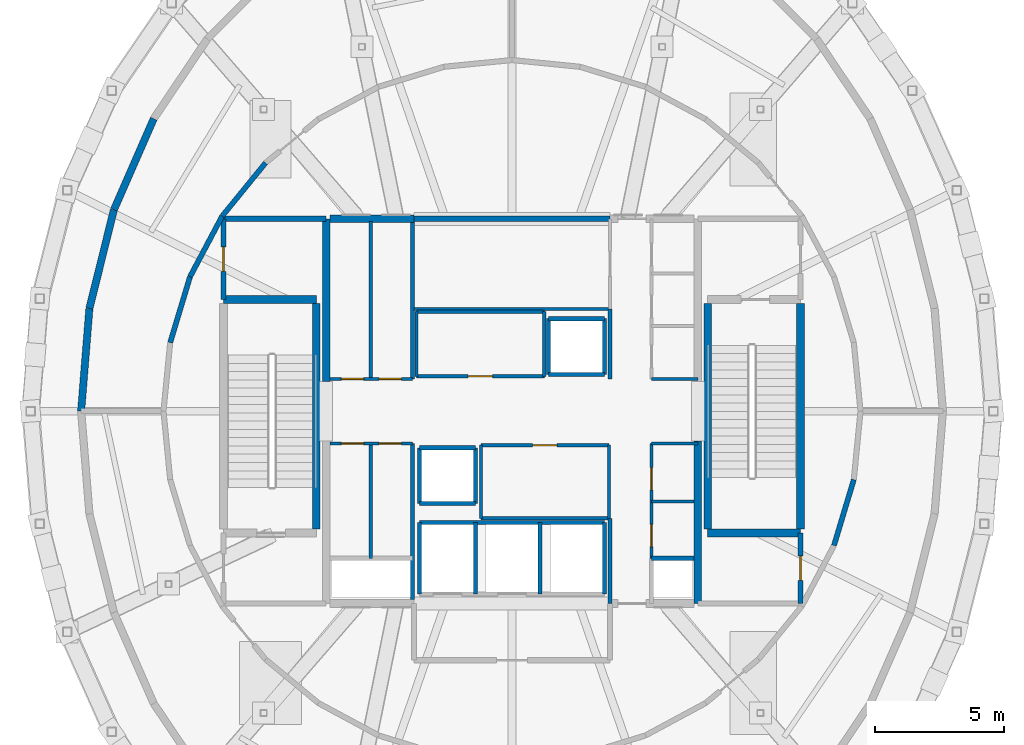
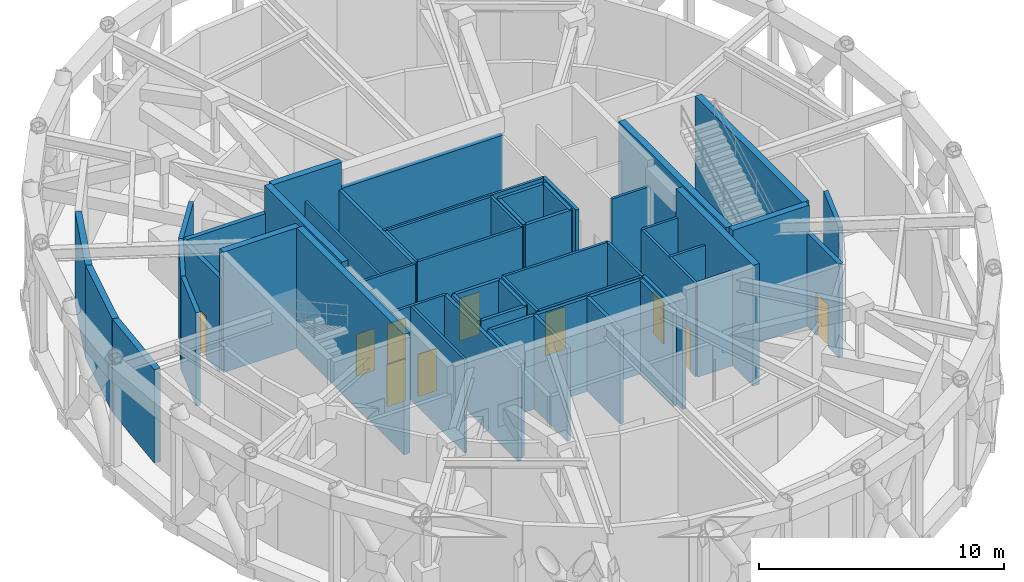
# One storey, part 7 of 11: 54 walls, 10 doors, 10 openings.
"""IFC4 building model written with IfcOpenShell, lengths in metres."""

from ifc_helpers import new_model, si_unit, direction, frame, frame_2d, origin, place, context, subcontext, project, spatial, rectangle, extrude, material, layer, layer_set, type_object, element, fill, save


model = new_model("IFC4")

# Units and contexts
model_context = context("Model", 3, precision=1e-05, world=origin(), true_north=direction((0.0, 1.0)))
body_context = subcontext(model_context, "Body", "Model", "MODEL_VIEW")
ifc_project = project(units=[si_unit("LENGTHUNIT", "METRE"), si_unit("AREAUNIT", "SQUARE_METRE"), si_unit("VOLUMEUNIT", "CUBIC_METRE"), si_unit("PLANEANGLEUNIT", "RADIAN"), si_unit("MASSUNIT", "GRAM", prefix="KILO")], contexts=[model_context])

# Site, building, storey
site_placement = place(None, origin())
site = spatial("IfcSite", under=ifc_project, at=site_placement, CompositionType="ELEMENT")
building_placement = place(site_placement, origin())
building = spatial("IfcBuilding", under=site, at=building_placement, Name="Veldorina Hangang Commons", CompositionType="ELEMENT")
storey_placement = place(building_placement, frame((0.0, 0.0, 302.39990234375)))
storey = spatial("IfcBuildingStorey", under=building, at=storey_placement, Name="L79", CompositionType="ELEMENT", Elevation=302.39990234375)

# Walls
ifc_material_1 = material(Name="Concrete C50/60", Category="concrete")
ifc_layer_1 = layer(ifc_material_1, 0.300048828125)
ifc_layer_set_1 = layer_set([ifc_layer_1], Name="Concrete C50/60")
wall_type_1 = type_object("IfcWallType", Name="CW-RC300-C50", PredefinedType="SHEAR", material=ifc_layer_set_1)
for number, where, z_axis, x_axis, name in (
    (1, (24.800048828125, 25.14990234375, 0.0), (0.0, 0.0, 1.0), (0.0, 1.0, 0.0), "L79 W north core shear wall"),
    (2, (39.199951171875, 16.550048828125, 0.0), (0.0, 0.0, 1.0), (0.0, 1.0, 0.0), "L79 E south core shear wall"),
):
    element("IfcWall", number, at=place(storey_placement, frame(where, z_axis=z_axis, x_axis=x_axis)), inside=storey, type_object=wall_type_1, Name=name, PredefinedType="SHEAR", context=body_context, shape_type="SweptSolid", body=[
        extrude(rectangle(XDim=6.300048828125, YDim=0.300048828125, at=frame_2d((3.14990234375, 0.0))), origin(), (0.0, 0.0, 1.0), 6.0),
    ])
wall_1_placement = place(storey_placement, frame((24.949951171875, 31.449951171875, 0.0), z_axis=(0.0, 0.0, 1.0), x_axis=(1.0, 0.0, 0.0)))
element("IfcWall", 3, at=wall_1_placement, inside=storey, type_object=wall_type_1, Name="L79 north-west core shear wall", PredefinedType="SHEAR", context=body_context, shape_type="SweptSolid", body=[
    extrude(rectangle(XDim=3.25, YDim=0.300048828125, at=frame_2d((1.625, 0.0))), origin(), (0.0, 0.0, 1.0), 6.0),
])
ifc_material_2 = material(Name="Stone Roman Travertine", Category="masonry")
ifc_layer_2 = layer(ifc_material_2, 0.280029296875)
ifc_layer_set_2 = layer_set([ifc_layer_2], Name="Stone Roman Travertine")
wall_type_2 = type_object("IfcWallType", Name="EW-TRAV-280", PredefinedType="STANDARD", material=ifc_layer_set_2)
wall_2_placement = place(storey_placement, frame((18.122802734375, 35.328125, 0.0), z_axis=(0.0, 0.0, 1.0), x_axis=(-0.400815505477, -0.916158791132, 0.0)))
element("IfcWall", 4, at=wall_2_placement, inside=storey, type_object=wall_type_2, Name="L79 top plant exterior stone wall 13", PredefinedType="STANDARD", context=body_context, shape_type="SweptSolid", body=[
    extrude(rectangle(XDim=3.84765625, YDim=0.280029296875, at=frame_2d((1.923828125, 0.0))), origin(), (0.0, 0.0, 1.0), 4.650146484375),
])
wall_3_placement = place(storey_placement, frame((16.58056640625, 31.802978515625, 0.0), z_axis=(0.0, 0.0, 1.0), x_axis=(-0.241019551513, -0.97052026037, 0.0)))
element("IfcWall", 5, at=wall_3_placement, inside=storey, type_object=wall_type_2, Name="L79 top plant exterior stone wall 14", PredefinedType="STANDARD", context=body_context, shape_type="SweptSolid", body=[
    extrude(rectangle(XDim=3.94140625, YDim=0.280029296875, at=frame_2d((1.970703125, 0.0))), origin(), (0.0, 0.0, 1.0), 4.650146484375),
])
wall_4_placement = place(storey_placement, frame((15.630615234375, 27.977783203125, 0.0), z_axis=(0.0, 0.0, 1.0), x_axis=(-0.080326348455, -0.996768617957, 0.0)))
element("IfcWall", 6, at=wall_4_placement, inside=storey, type_object=wall_type_2, Name="L79 top plant exterior stone wall 15", PredefinedType="STANDARD", context=body_context, shape_type="SweptSolid", body=[
    extrude(rectangle(XDim=3.99072265625, YDim=0.280029296875, at=frame_2d((1.995361328125, 0.0))), origin(), (0.0, 0.0, 1.0), 4.650146484375),
])
ifc_layer_3 = layer(ifc_material_1, 0.300048828125)
ifc_layer_set_3 = layer_set([ifc_layer_3], Name="Concrete C50/60")
wall_type_3 = type_object("IfcWallType", Name="SW-STAIR-300", PredefinedType="SHEAR", material=ifc_layer_set_3)
wall_5_placement = place(storey_placement, frame((24.419921875, 19.429931640625, 0.0), z_axis=(0.0, 0.0, 1.0), x_axis=(0.0, 1.0, 0.0)))
element("IfcWall", 7, at=wall_5_placement, inside=storey, type_object=wall_type_3, Name="L79 ST1 inner stair shear wall", PredefinedType="SHEAR", context=body_context, shape_type="SweptSolid", body=[
    extrude(rectangle(XDim=8.739990234375, YDim=0.300048828125, at=frame_2d((4.3701171875, 0.0))), origin(), (0.0, 0.0, 1.0), 6.0),
])
wall_6_placement = place(storey_placement, frame((20.820068359375, 28.320068359375, 0.0), z_axis=(0.0, 0.0, 1.0), x_axis=(1.0, 0.0, 0.0)))
element("IfcWall", 8, at=wall_6_placement, inside=storey, type_object=wall_type_3, Name="L79 ST1 north stair shear wall", PredefinedType="SHEAR", context=body_context, shape_type="SweptSolid", body=[
    extrude(rectangle(XDim=3.599853515625, YDim=0.300048828125, at=frame_2d((1.7998046875, 0.0))), origin(), (0.0, 0.0, 1.0), 6.0),
])
for number, where, z_axis, x_axis, name in (
    (9, (43.179931640625, 19.429931640625, 0.0), (0.0, 0.0, 1.0), (0.0, 1.0, 0.0), "L79 ST2 outer stair shear wall"),
    (10, (39.580078125, 19.429931640625, 0.0), (0.0, 0.0, 1.0), (0.0, 1.0, 0.0), "L79 ST2 inner stair shear wall"),
):
    element("IfcWall", number, at=place(storey_placement, frame(where, z_axis=z_axis, x_axis=x_axis)), inside=storey, type_object=wall_type_3, Name=name, PredefinedType="SHEAR", context=body_context, shape_type="SweptSolid", body=[
        extrude(rectangle(XDim=8.739990234375, YDim=0.300048828125, at=frame_2d((4.3701171875, 0.0))), origin(), (0.0, 0.0, 1.0), 6.0),
    ])
wall_7_placement = place(storey_placement, frame((39.580078125, 19.280029296875, 0.0), z_axis=(0.0, 0.0, 1.0), x_axis=(1.0, 0.0, 0.0)))
element("IfcWall", 11, at=wall_7_placement, inside=storey, type_object=wall_type_3, Name="L79 ST2 south stair shear wall", PredefinedType="SHEAR", context=body_context, shape_type="SweptSolid", body=[
    extrude(rectangle(XDim=3.599853515625, YDim=0.300048828125, at=frame_2d((1.7998046875, 0.0))), origin(), (0.0, 0.0, 1.0), 6.0),
])
ifc_material_3 = material(Name="Gypsum Fire-Rated Twin Stud Wall", Category="gypsum")
ifc_layer_4 = layer(ifc_material_3, 0.159912109375)
ifc_layer_set_4 = layer_set([ifc_layer_4], Name="Gypsum Fire-Rated Twin Stud Wall")
wall_type_4 = type_object("IfcWallType", Name="WL-FIRE-160", PredefinedType="SOLIDWALL", material=ifc_layer_set_4)
wall_8_placement = place(storey_placement, frame((35.800048828125, 16.550048828125, 0.0), z_axis=(0.0, 0.0, 1.0), x_axis=(0.0, 1.0, 0.0)))
element("IfcWall", 12, at=wall_8_placement, inside=storey, type_object=wall_type_4, Name="L79 Lift passage SW wall 009", PredefinedType="SOLIDWALL", context=body_context, shape_type="SweptSolid", body=[
    extrude(rectangle(XDim=3.300048828125, YDim=0.159912109375, at=frame_2d((1.64990234375, 0.0))), origin(), (0.0, 0.0, 1.0), 4.650146484375),
])
wall_9_placement = place(storey_placement, frame((35.800048828125, 25.25, 0.0), z_axis=(0.0, 0.0, 1.0), x_axis=(0.0, 1.0, 0.0)))
element("IfcWall", 13, at=wall_9_placement, inside=storey, type_object=wall_type_4, Name="L79 Lift passage NW lower wall 011", PredefinedType="SOLIDWALL", context=body_context, shape_type="SweptSolid", body=[
    extrude(rectangle(XDim=2.699951171875, YDim=0.159912109375, at=frame_2d((1.35009765625, 0.0))), origin(), (0.0, 0.0, 1.0), 4.650146484375),
])
for number, where, z_axis, x_axis, name in (
    (14, (33.419921875, 25.419921875, 0.0), (0.0, 0.0, 1.0), (1.0, 0.0, 0.0), "L79 Mid-high front shaft wall 015"),
    (15, (33.419921875, 27.580078125, 0.0), (0.0, 0.0, 1.0), (1.0, 0.0, 0.0), "L79 Mid-high rear shaft wall 016"),
    (16, (33.419921875, 25.419921875, 0.0), (0.0, 0.0, 1.0), (0.0, 1.0, 0.0), "L79 PL-H1 west shaft wall 017"),
    (17, (35.580078125, 25.419921875, 0.0), (0.0, 0.0, 1.0), (0.0, 1.0, 0.0), "L79 PL-H1 east shaft wall 018"),
    (18, (28.419921875, 22.580078125, 0.0), (0.0, 0.0, 1.0), (1.0, 0.0, 0.0), "L79 Shuttle-high front shaft wall 019"),
    (19, (28.419921875, 20.419921875, 0.0), (0.0, 0.0, 1.0), (1.0, 0.0, 0.0), "L79 Shuttle-high rear shaft wall 020"),
    (20, (28.419921875, 20.419921875, 0.0), (0.0, 0.0, 1.0), (0.0, 1.0, 0.0), "L79 PL-H2 west shaft wall 021"),
    (21, (30.580078125, 20.419921875, 0.0), (0.0, 0.0, 1.0), (0.0, 1.0, 0.0), "L79 PL-H2 east shaft wall 022"),
):
    element("IfcWall", number, at=place(storey_placement, frame(where, z_axis=z_axis, x_axis=x_axis)), inside=storey, type_object=wall_type_4, Name=name, PredefinedType="SOLIDWALL", context=body_context, shape_type="SweptSolid", body=[
        extrude(rectangle(XDim=2.16015625, YDim=0.159912109375, at=frame_2d((1.080078125, 0.0))), origin(), (0.0, 0.0, 1.0), 4.650146484375),
    ])
wall_10_placement = place(storey_placement, frame((28.419921875, 19.679931640625, 0.0), z_axis=(0.0, 0.0, 1.0), x_axis=(1.0, 0.0, 0.0)))
element("IfcWall", 22, at=wall_10_placement, inside=storey, type_object=wall_type_4, Name="L79 Emergency rear shaft wall 024", PredefinedType="SOLIDWALL", context=body_context, shape_type="SweptSolid", body=[
    extrude(rectangle(XDim=7.16015625, YDim=0.159912109375, at=frame_2d((3.580078125, 0.0))), origin(), (0.0, 0.0, 1.0), 4.650146484375),
])
for number, where, z_axis, x_axis, name in (
    (23, (28.419921875, 16.919921875, 0.0), (0.0, 0.0, 1.0), (0.0, 1.0, 0.0), "L79 FFL-1 west shaft wall 025"),
    (24, (30.580078125, 16.919921875, 0.0), (0.0, 0.0, 1.0), (0.0, 1.0, 0.0), "L79 FFL-1 east shaft wall 026"),
    (25, (33.080078125, 16.919921875, 0.0), (0.0, 0.0, 1.0), (0.0, 1.0, 0.0), "L79 FFL-2 east shaft wall 027"),
    (26, (35.580078125, 16.919921875, 0.0), (0.0, 0.0, 1.0), (0.0, 1.0, 0.0), "L79 EVL-1 east shaft wall 028"),
):
    element("IfcWall", number, at=place(storey_placement, frame(where, z_axis=z_axis, x_axis=x_axis)), inside=storey, type_object=wall_type_4, Name=name, PredefinedType="SOLIDWALL", context=body_context, shape_type="SweptSolid", body=[
        extrude(rectangle(XDim=2.760009765625, YDim=0.159912109375, at=frame_2d((1.3798828125, 0.0))), origin(), (0.0, 0.0, 1.0), 4.650146484375),
    ])
wall_11_placement = place(storey_placement, frame((28.14990234375, 16.699951171875, 0.0), z_axis=(0.0, 0.0, 1.0), x_axis=(0.0, 1.0, 0.0)))
element("IfcWall", 27, at=wall_11_placement, inside=storey, type_object=wall_type_4, Name="L79 SW core inner wall 041", PredefinedType="SOLIDWALL", context=body_context, shape_type="SweptSolid", body=[
    extrude(rectangle(XDim=6.050048828125, YDim=0.159912109375, at=frame_2d((3.02490234375, 0.0))), origin(), (0.0, 0.0, 1.0), 4.650146484375),
])
wall_12_placement = place(storey_placement, frame((37.39990234375, 18.300048828125, 0.0), z_axis=(0.0, 0.0, 1.0), x_axis=(1.0, 0.0, 0.0)))
element("IfcWall", 28, at=wall_12_placement, inside=storey, type_object=wall_type_4, Name="L79 Plumbing riser wall 042", PredefinedType="SOLIDWALL", context=body_context, shape_type="SweptSolid", body=[
    extrude(rectangle(XDim=1.650146484375, YDim=0.159912109375, at=frame_2d((0.8251953125, 0.0))), origin(), (0.0, 0.0, 1.0), 4.650146484375),
])
wall_13_placement = place(storey_placement, frame((28.14990234375, 25.25, 0.0), z_axis=(0.0, 0.0, 1.0), x_axis=(0.0, 1.0, 0.0)))
element("IfcWall", 29, at=wall_13_placement, inside=storey, type_object=wall_type_4, Name="L79 NW core inner wall 043", PredefinedType="SOLIDWALL", context=body_context, shape_type="SweptSolid", body=[
    extrude(rectangle(XDim=6.10009765625, YDim=0.159912109375, at=frame_2d((3.050048828125, 0.0))), origin(), (0.0, 0.0, 1.0), 4.650146484375),
])

# Wall, opening, door
ifc_material_4 = material(Name="Concrete Blockwork Fire Wall C30/37", Category="masonry")
ifc_layer_5 = layer(ifc_material_4, 0.199951171875)
ifc_layer_set_5 = layer_set([ifc_layer_5], Name="Concrete Blockwork Fire Wall C30/37")
wall_type_5 = type_object("IfcWallType", Name="WL-FIRE-200", PredefinedType="SOLIDWALL", material=ifc_layer_set_5)
wall_14_placement = place(storey_placement, frame((20.820068359375, 28.320068359375, 0.0), z_axis=(0.0, 0.0, 1.0), x_axis=(0.0, 1.0, 0.0)))
wall_14 = element("IfcWall", 30, at=wall_14_placement, inside=storey, type_object=wall_type_5, Name="L79 NW core room outer wall 005", PredefinedType="SOLIDWALL", context=body_context, shape_type="SweptSolid", body=[
    extrude(rectangle(XDim=3.1298828125, YDim=0.199951171875, at=frame_2d((1.56494140625, 0.0))), origin(), (0.0, 0.0, 1.0), 4.650146484375),
])
opening_1_placement = place(wall_14_placement, frame((1.090087890625, 0.0, 0.0)))
opening_1 = element("IfcOpeningElement", 31, at=opening_1_placement, cuts=wall_14, Name="Opening D-04", PredefinedType="OPENING", context=body_context, shape_type="SweptSolid", body=[
    extrude(rectangle(XDim=0.949951171875, YDim=2.10009765625, at=frame_2d((0.47509765625, 1.050048828125))), frame((0.0, 0.10986328125, 0.0), z_axis=(0.0, -1.0, 0.0), x_axis=(1.0, 0.0, 0.0)), (0.0, 0.0, 1.0), 0.219970703125),
])
ifc_material_5 = material(Name="Timber Accessible Flush Leaf", Category="wood")
door_type_1 = type_object("IfcDoorType", Name="DR-ACC-950", OperationType="SINGLE_SWING_LEFT", PredefinedType="DOOR", material=ifc_material_5)
door_1_placement = place(opening_1_placement, origin())
door_1 = element("IfcDoor", 32, at=door_1_placement, inside=storey, type_object=door_type_1, Name="L79 NW core WC door 003", OperationType="SINGLE_SWING_LEFT", OverallHeight=2.10009765625, OverallWidth=0.949951171875, PredefinedType="DOOR", context=body_context, shape_type="SweptSolid", body=[
    extrude(rectangle(XDim=0.949951171875, YDim=2.10009765625, at=frame_2d((0.47509765625, 1.050048828125))), frame((0.0, 0.02490234375, 0.0), z_axis=(0.0, -1.0, 0.0), x_axis=(1.0, 0.0, 0.0)), (0.0, 0.0, 1.0), 0.050048828125),
])
fill(opening_1, door_1)

# Wall
wall_15_placement = place(storey_placement, frame((20.820068359375, 31.449951171875, 0.0), z_axis=(0.0, 0.0, 1.0), x_axis=(1.0, 0.0, 0.0)))
element("IfcWall", 33, at=wall_15_placement, inside=storey, type_object=wall_type_5, Name="L79 NW core room north wall 006", PredefinedType="SOLIDWALL", context=body_context, shape_type="SweptSolid", body=[
    extrude(rectangle(XDim=3.97998046875, YDim=0.199951171875, at=frame_2d((1.989990234375, 0.0))), origin(), (0.0, 0.0, 1.0), 4.650146484375),
])

# Wall, opening, door
wall_16_placement = place(storey_placement, frame((43.179931640625, 16.550048828125, 0.0), z_axis=(0.0, 0.0, 1.0), x_axis=(0.0, 1.0, 0.0)))
wall_16 = element("IfcWall", 34, at=wall_16_placement, inside=storey, type_object=wall_type_5, Name="L79 SE core room outer wall 007", PredefinedType="SOLIDWALL", context=body_context, shape_type="SweptSolid", body=[
    extrude(rectangle(XDim=2.72998046875, YDim=0.199951171875, at=frame_2d((1.364990234375, 0.0))), origin(), (0.0, 0.0, 1.0), 4.650146484375),
])
opening_2_placement = place(wall_16_placement, frame((0.889892578125, 0.0, 0.0)))
opening_2 = element("IfcOpeningElement", 35, at=opening_2_placement, cuts=wall_16, Name="Opening D-02", PredefinedType="OPENING", context=body_context, shape_type="SweptSolid", body=[
    extrude(rectangle(XDim=0.949951171875, YDim=2.10009765625, at=frame_2d((0.47509765625, 1.050048828125))), frame((0.0, 0.10986328125, 0.0), z_axis=(0.0, -1.0, 0.0), x_axis=(1.0, 0.0, 0.0)), (0.0, 0.0, 1.0), 0.219970703125),
])
ifc_material_6 = material(Name="Timber Solid Core Acoustic", Category="wood")
door_type_2 = type_object("IfcDoorType", Name="DR-INT-950", OperationType="SINGLE_SWING_LEFT", PredefinedType="DOOR", material=ifc_material_6)
door_2_placement = place(opening_2_placement, origin())
door_2 = element("IfcDoor", 36, at=door_2_placement, inside=storey, type_object=door_type_2, Name="L79 SE core WC door 004", OperationType="SINGLE_SWING_RIGHT", OverallHeight=2.10009765625, OverallWidth=0.949951171875, PredefinedType="DOOR", context=body_context, shape_type="SweptSolid", body=[
    extrude(rectangle(XDim=0.949951171875, YDim=2.10009765625, at=frame_2d((0.47509765625, 1.050048828125))), frame((0.0, 0.02490234375, 0.0), z_axis=(0.0, -1.0, 0.0), x_axis=(1.0, 0.0, 0.0)), (0.0, 0.0, 1.0), 0.050048828125),
])
fill(opening_2, door_2)

# Walls
wall_17_placement = place(storey_placement, frame((28.199951171875, 31.449951171875, 0.0), z_axis=(0.0, 0.0, 1.0), x_axis=(1.0, 0.0, 0.0)))
element("IfcWall", 37, at=wall_17_placement, inside=storey, type_object=wall_type_5, Name="L79 Merged north core wall 029", PredefinedType="SOLIDWALL", context=body_context, shape_type="SweptSolid", body=[
    extrude(rectangle(XDim=7.60009765625, YDim=0.199951171875, at=frame_2d((3.800048828125, 0.0))), origin(), (0.0, 0.0, 1.0), 4.650146484375),
])
wall_18_placement = place(storey_placement, frame((22.4541015625, 33.61669921875, 0.0), z_axis=(0.0, 0.0, 1.0), x_axis=(-0.631625929015, -0.775273297487, 0.0)))
element("IfcWall", 38, at=wall_18_placement, inside=storey, type_object=wall_type_5, Name="L79 L79 corridor wall 12 067", PredefinedType="SOLIDWALL", context=body_context, shape_type="SweptSolid", body=[
    extrude(rectangle(XDim=2.658203125, YDim=0.199951171875, at=frame_2d((1.3291015625, 0.0))), origin(), (0.0, 0.0, 1.0), 4.650146484375),
])
wall_19_placement = place(storey_placement, frame((20.775146484375, 31.555908203125, 0.0), z_axis=(0.0, 0.0, 1.0), x_axis=(-0.468692436902, -0.883361420705, 0.0)))
element("IfcWall", 39, at=wall_19_placement, inside=storey, type_object=wall_type_5, Name="L79 L79 corridor wall 13 068", PredefinedType="SOLIDWALL", context=body_context, shape_type="SweptSolid", body=[
    extrude(rectangle(XDim=2.661865234375, YDim=0.199951171875, at=frame_2d((1.3310546875, 0.0))), origin(), (0.0, 0.0, 1.0), 4.650146484375),
])
for number, where, z_axis, x_axis, name in (
    (40, (19.527587890625, 29.20458984375, 0.0), (0.0, 0.0, 1.0), (-0.288272472485, -0.957548422591, 0.0), "L79 L79 corridor wall 14 069"),
    (41, (44.472412109375, 18.79541015625, 0.0), (0.0, 0.0, 1.0), (0.288272472485, 0.957548422591, 0.0), "L79 L79 corridor wall 30 085"),
):
    element("IfcWall", number, at=place(storey_placement, frame(where, z_axis=z_axis, x_axis=x_axis)), inside=storey, type_object=wall_type_5, Name=name, PredefinedType="SOLIDWALL", context=body_context, shape_type="SweptSolid", body=[
        extrude(rectangle(XDim=2.664306640625, YDim=0.199951171875, at=frame_2d((1.33203125, 0.0))), origin(), (0.0, 0.0, 1.0), 4.650146484375),
    ])
ifc_material_7 = material(Name="Gypsum Acoustic Stud Partition", Category="gypsum")
ifc_layer_6 = layer(ifc_material_7, 0.1201171875)
ifc_layer_set_6 = layer_set([ifc_layer_6], Name="Gypsum Acoustic Stud Partition")
wall_type_6 = type_object("IfcWallType", Name="WL-PART-120", PredefinedType="PARTITIONING", material=ifc_layer_set_6)
wall_20_placement = place(storey_placement, frame((28.199951171875, 27.949951171875, 0.0), z_axis=(0.0, 0.0, 1.0), x_axis=(1.0, 0.0, 0.0)))
element("IfcWall", 42, at=wall_20_placement, inside=storey, type_object=wall_type_6, Name="L79 Merged north south wall 030", PredefinedType="PARTITIONING", context=body_context, shape_type="SweptSolid", body=[
    extrude(rectangle(XDim=7.60009765625, YDim=0.1201171875, at=frame_2d((3.800048828125, 0.0))), origin(), (0.0, 0.0, 1.0), 4.650146484375),
])

# Wall, opening, door
wall_21_placement = place(storey_placement, frame((28.300048828125, 25.35009765625, 0.0), z_axis=(0.0, 0.0, 1.0), x_axis=(1.0, 0.0, 0.0)))
wall_21 = element("IfcWall", 43, at=wall_21_placement, inside=storey, type_object=wall_type_6, Name="L79 Merged mid-bank south wall 032", PredefinedType="PARTITIONING", context=body_context, shape_type="SweptSolid", body=[
    extrude(rectangle(XDim=4.949951171875, YDim=0.1201171875, at=frame_2d((2.47509765625, 0.0))), origin(), (0.0, 0.0, 1.0), 4.650146484375),
])
opening_3_placement = place(wall_21_placement, frame((2.0, 0.0, 0.0)))
opening_3 = element("IfcOpeningElement", 44, at=opening_3_placement, cuts=wall_21, Name="Opening D-02", PredefinedType="OPENING", context=body_context, shape_type="SweptSolid", body=[
    extrude(rectangle(XDim=0.949951171875, YDim=2.10009765625, at=frame_2d((0.47509765625, 1.050048828125))), frame((0.0, 0.070068359375, 0.0), z_axis=(0.0, -1.0, 0.0), x_axis=(1.0, 0.0, 0.0)), (0.0, 0.0, 1.0), 0.14013671875),
])
door_3_placement = place(opening_3_placement, origin())
door_3 = element("IfcDoor", 45, at=door_3_placement, inside=storey, type_object=door_type_2, Name="L79 Quiet study room door 009", OperationType="SINGLE_SWING_LEFT", OverallHeight=2.10009765625, OverallWidth=0.949951171875, PredefinedType="DOOR", context=body_context, shape_type="SweptSolid", body=[
    extrude(rectangle(XDim=0.949951171875, YDim=2.10009765625, at=frame_2d((0.47509765625, 1.050048828125))), frame((0.0, 0.02490234375, 0.0), z_axis=(0.0, -1.0, 0.0), x_axis=(1.0, 0.0, 0.0)), (0.0, 0.0, 1.0), 0.050048828125),
])
fill(opening_3, door_3)

# Walls
wall_22_placement = place(storey_placement, frame((28.300048828125, 27.85009765625, 0.0), z_axis=(0.0, 0.0, 1.0), x_axis=(1.0, 0.0, 0.0)))
element("IfcWall", 46, at=wall_22_placement, inside=storey, type_object=wall_type_6, Name="L79 Merged mid-bank north wall 033", PredefinedType="PARTITIONING", context=body_context, shape_type="SweptSolid", body=[
    extrude(rectangle(XDim=4.949951171875, YDim=0.1201171875, at=frame_2d((2.47509765625, 0.0))), origin(), (0.0, 0.0, 1.0), 4.650146484375),
])
for number, where, z_axis, x_axis, name in (
    (47, (28.300048828125, 25.35009765625, 0.0), (0.0, 0.0, 1.0), (0.0, 1.0, 0.0), "L79 Merged mid-bank west wall 034"),
    (48, (33.25, 25.35009765625, 0.0), (0.0, 0.0, 1.0), (0.0, 1.0, 0.0), "L79 Merged mid-bank east wall 035"),
):
    element("IfcWall", number, at=place(storey_placement, frame(where, z_axis=z_axis, x_axis=x_axis)), inside=storey, type_object=wall_type_6, Name=name, PredefinedType="PARTITIONING", context=body_context, shape_type="SweptSolid", body=[
        extrude(rectangle(XDim=2.5, YDim=0.1201171875, at=frame_2d((1.25, 0.0))), origin(), (0.0, 0.0, 1.0), 4.650146484375),
    ])

# Wall, opening, door
wall_23_placement = place(storey_placement, frame((30.800048828125, 22.679931640625, 0.0), z_axis=(0.0, 0.0, 1.0), x_axis=(1.0, 0.0, 0.0)))
wall_23 = element("IfcWall", 49, at=wall_23_placement, inside=storey, type_object=wall_type_6, Name="L79 Merged shuttle north wall 036", PredefinedType="PARTITIONING", context=body_context, shape_type="SweptSolid", body=[
    extrude(rectangle(XDim=4.949951171875, YDim=0.1201171875, at=frame_2d((2.47509765625, 0.0))), origin(), (0.0, 0.0, 1.0), 4.650146484375),
])
opening_4_placement = place(wall_23_placement, frame((2.0, 0.0, 0.0)))
opening_4 = element("IfcOpeningElement", 50, at=opening_4_placement, cuts=wall_23, Name="Opening D-02", PredefinedType="OPENING", context=body_context, shape_type="SweptSolid", body=[
    extrude(rectangle(XDim=0.949951171875, YDim=2.10009765625, at=frame_2d((0.47509765625, 1.050048828125))), frame((0.0, 0.070068359375, 0.0), z_axis=(0.0, -1.0, 0.0), x_axis=(1.0, 0.0, 0.0)), (0.0, 0.0, 1.0), 0.14013671875),
])
door_4_placement = place(opening_4_placement, origin())
door_4 = element("IfcDoor", 51, at=door_4_placement, inside=storey, type_object=door_type_2, Name="L79 Floor tea pantry door 010", OperationType="SINGLE_SWING_RIGHT", OverallHeight=2.10009765625, OverallWidth=0.949951171875, PredefinedType="DOOR", context=body_context, shape_type="SweptSolid", body=[
    extrude(rectangle(XDim=0.949951171875, YDim=2.10009765625, at=frame_2d((0.47509765625, 1.050048828125))), frame((0.0, 0.02490234375, 0.0), z_axis=(0.0, -1.0, 0.0), x_axis=(1.0, 0.0, 0.0)), (0.0, 0.0, 1.0), 0.050048828125),
])
fill(opening_4, door_4)

# Walls
wall_24_placement = place(storey_placement, frame((30.800048828125, 19.85009765625, 0.0), z_axis=(0.0, 0.0, 1.0), x_axis=(1.0, 0.0, 0.0)))
element("IfcWall", 52, at=wall_24_placement, inside=storey, type_object=wall_type_6, Name="L79 Merged shuttle south wall 037", PredefinedType="PARTITIONING", context=body_context, shape_type="SweptSolid", body=[
    extrude(rectangle(XDim=4.949951171875, YDim=0.1201171875, at=frame_2d((2.47509765625, 0.0))), origin(), (0.0, 0.0, 1.0), 4.650146484375),
])
for number, where, z_axis, x_axis, name in (
    (53, (30.800048828125, 19.85009765625, 0.0), (0.0, 0.0, 1.0), (0.0, 1.0, 0.0), "L79 Merged shuttle west wall 038"),
    (54, (35.75, 19.85009765625, 0.0), (0.0, 0.0, 1.0), (0.0, 1.0, 0.0), "L79 Merged shuttle east wall 039"),
):
    element("IfcWall", number, at=place(storey_placement, frame(where, z_axis=z_axis, x_axis=x_axis)), inside=storey, type_object=wall_type_6, Name=name, PredefinedType="PARTITIONING", context=body_context, shape_type="SweptSolid", body=[
        extrude(rectangle(XDim=2.829833984375, YDim=0.1201171875, at=frame_2d((1.4150390625, 0.0))), origin(), (0.0, 0.0, 1.0), 4.650146484375),
    ])

# Wall, openings, doors
wall_25_placement = place(storey_placement, frame((24.949951171875, 25.25, 0.0), z_axis=(0.0, 0.0, 1.0), x_axis=(1.0, 0.0, 0.0)))
wall_25 = element("IfcWall", 55, at=wall_25_placement, inside=storey, type_object=wall_type_6, Name="L79 NW service south wall 044", PredefinedType="PARTITIONING", context=body_context, shape_type="SweptSolid", body=[
    extrude(rectangle(XDim=3.199951171875, YDim=0.1201171875, at=frame_2d((1.60009765625, 0.0))), origin(), (0.0, 0.0, 1.0), 4.650146484375),
])
opening_5_placement = place(wall_25_placement, frame((0.43994140625, 0.0, 0.0)))
opening_5 = element("IfcOpeningElement", 56, at=opening_5_placement, cuts=wall_25, Name="Opening D-01", PredefinedType="OPENING", context=body_context, shape_type="SweptSolid", body=[
    extrude(rectangle(XDim=0.860107421875, YDim=2.10009765625, at=frame_2d((0.43017578125, 1.050048828125))), frame((0.0, 0.070068359375, 0.0), z_axis=(0.0, -1.0, 0.0), x_axis=(1.0, 0.0, 0.0)), (0.0, 0.0, 1.0), 0.14013671875),
])
opening_6_placement = place(wall_25_placement, frame((1.89990234375, 0.0, 0.0)))
opening_6 = element("IfcOpeningElement", 57, at=opening_6_placement, cuts=wall_25, Name="Opening D-01", PredefinedType="OPENING", context=body_context, shape_type="SweptSolid", body=[
    extrude(rectangle(XDim=0.860107421875, YDim=2.10009765625, at=frame_2d((0.43017578125, 1.050048828125))), frame((0.0, 0.070068359375, 0.0), z_axis=(0.0, -1.0, 0.0), x_axis=(1.0, 0.0, 0.0)), (0.0, 0.0, 1.0), 0.14013671875),
])
ifc_material_8 = material(Name="Timber Moisture-Resistant Core", Category="wood")
door_type_3 = type_object("IfcDoorType", Name="DR-WET-860", OperationType="SINGLE_SWING_LEFT", PredefinedType="DOOR", material=ifc_material_8)
door_5_placement = place(opening_5_placement, origin())
door_5 = element("IfcDoor", 58, at=door_5_placement, inside=storey, type_object=door_type_3, Name="L79 Linen west door 011", OperationType="SINGLE_SWING_LEFT", OverallHeight=2.10009765625, OverallWidth=0.860107421875, PredefinedType="DOOR", context=body_context, shape_type="SweptSolid", body=[
    extrude(rectangle(XDim=0.860107421875, YDim=2.10009765625, at=frame_2d((0.43017578125, 1.050048828125))), frame((0.0, 0.02490234375, 0.0), z_axis=(0.0, -1.0, 0.0), x_axis=(1.0, 0.0, 0.0)), (0.0, 0.0, 1.0), 0.050048828125),
])
fill(opening_5, door_5)
door_6_placement = place(opening_6_placement, origin())
door_6 = element("IfcDoor", 59, at=door_6_placement, inside=storey, type_object=door_type_3, Name="L79 Data closet door 012", OperationType="SINGLE_SWING_RIGHT", OverallHeight=2.10009765625, OverallWidth=0.860107421875, PredefinedType="DOOR", context=body_context, shape_type="SweptSolid", body=[
    extrude(rectangle(XDim=0.860107421875, YDim=2.10009765625, at=frame_2d((0.43017578125, 1.050048828125))), frame((0.0, 0.02490234375, 0.0), z_axis=(0.0, -1.0, 0.0), x_axis=(1.0, 0.0, 0.0)), (0.0, 0.0, 1.0), 0.050048828125),
])
fill(opening_6, door_6)

wall_26_placement = place(storey_placement, frame((24.949951171875, 22.75, 0.0), z_axis=(0.0, 0.0, 1.0), x_axis=(1.0, 0.0, 0.0)))
wall_26 = element("IfcWall", 60, at=wall_26_placement, inside=storey, type_object=wall_type_6, Name="L79 SW service north wall 045", PredefinedType="PARTITIONING", context=body_context, shape_type="SweptSolid", body=[
    extrude(rectangle(XDim=3.199951171875, YDim=0.1201171875, at=frame_2d((1.60009765625, 0.0))), origin(), (0.0, 0.0, 1.0), 4.650146484375),
])
opening_7_placement = place(wall_26_placement, frame((0.43994140625, 0.0, 0.0)))
opening_7 = element("IfcOpeningElement", 61, at=opening_7_placement, cuts=wall_26, Name="Opening D-01", PredefinedType="OPENING", context=body_context, shape_type="SweptSolid", body=[
    extrude(rectangle(XDim=0.860107421875, YDim=2.10009765625, at=frame_2d((0.43017578125, 1.050048828125))), frame((0.0, 0.070068359375, 0.0), z_axis=(0.0, -1.0, 0.0), x_axis=(1.0, 0.0, 0.0)), (0.0, 0.0, 1.0), 0.14013671875),
])
opening_8_placement = place(wall_26_placement, frame((1.89990234375, 0.0, 0.0)))
opening_8 = element("IfcOpeningElement", 62, at=opening_8_placement, cuts=wall_26, Name="Opening D-01", PredefinedType="OPENING", context=body_context, shape_type="SweptSolid", body=[
    extrude(rectangle(XDim=0.860107421875, YDim=2.10009765625, at=frame_2d((0.43017578125, 1.050048828125))), frame((0.0, 0.070068359375, 0.0), z_axis=(0.0, -1.0, 0.0), x_axis=(1.0, 0.0, 0.0)), (0.0, 0.0, 1.0), 0.14013671875),
])
door_7_placement = place(opening_7_placement, origin())
door_7 = element("IfcDoor", 63, at=door_7_placement, inside=storey, type_object=door_type_3, Name="L79 Cleaners door 013", OperationType="SINGLE_SWING_LEFT", OverallHeight=2.10009765625, OverallWidth=0.860107421875, PredefinedType="DOOR", context=body_context, shape_type="SweptSolid", body=[
    extrude(rectangle(XDim=0.860107421875, YDim=2.10009765625, at=frame_2d((0.43017578125, 1.050048828125))), frame((0.0, 0.02490234375, 0.0), z_axis=(0.0, -1.0, 0.0), x_axis=(1.0, 0.0, 0.0)), (0.0, 0.0, 1.0), 0.050048828125),
])
fill(opening_7, door_7)
door_8_placement = place(opening_8_placement, origin())
door_8 = element("IfcDoor", 64, at=door_8_placement, inside=storey, type_object=door_type_3, Name="L79 Metering door 014", OperationType="SINGLE_SWING_RIGHT", OverallHeight=2.10009765625, OverallWidth=0.860107421875, PredefinedType="DOOR", context=body_context, shape_type="SweptSolid", body=[
    extrude(rectangle(XDim=0.860107421875, YDim=2.10009765625, at=frame_2d((0.43017578125, 1.050048828125))), frame((0.0, 0.02490234375, 0.0), z_axis=(0.0, -1.0, 0.0), x_axis=(1.0, 0.0, 0.0)), (0.0, 0.0, 1.0), 0.050048828125),
])
fill(opening_8, door_8)

# Wall
wall_27_placement = place(storey_placement, frame((37.39990234375, 25.25, 0.0), z_axis=(0.0, 0.0, 1.0), x_axis=(1.0, 0.0, 0.0)))
element("IfcWall", 65, at=wall_27_placement, inside=storey, type_object=wall_type_6, Name="L79 NE strip south return wall 047", PredefinedType="PARTITIONING", context=body_context, shape_type="SweptSolid", body=[
    extrude(rectangle(XDim=1.800048828125, YDim=0.1201171875, at=frame_2d((0.89990234375, 0.0))), origin(), (0.0, 0.0, 1.0), 4.650146484375),
])

# Wall, openings, doors
wall_28_placement = place(storey_placement, frame((37.39990234375, 18.300048828125, 0.0), z_axis=(0.0, 0.0, 1.0), x_axis=(0.0, 1.0, 0.0)))
wall_28 = element("IfcWall", 66, at=wall_28_placement, inside=storey, type_object=wall_type_6, Name="L79 SE strip lobby wall 048", PredefinedType="PARTITIONING", context=body_context, shape_type="SweptSolid", body=[
    extrude(rectangle(XDim=4.449951171875, YDim=0.1201171875, at=frame_2d((2.22509765625, 0.0))), origin(), (0.0, 0.0, 1.0), 4.650146484375),
])
opening_9_placement = place(wall_28_placement, frame((0.449951171875, 0.0, 0.0)))
opening_9 = element("IfcOpeningElement", 67, at=opening_9_placement, cuts=wall_28, Name="Opening D-01", PredefinedType="OPENING", context=body_context, shape_type="SweptSolid", body=[
    extrude(rectangle(XDim=0.860107421875, YDim=2.10009765625, at=frame_2d((0.43017578125, 1.050048828125))), frame((0.0, 0.070068359375, 0.0), z_axis=(0.0, -1.0, 0.0), x_axis=(1.0, 0.0, 0.0)), (0.0, 0.0, 1.0), 0.14013671875),
])
opening_10_placement = place(wall_28_placement, frame((2.64990234375, 0.0, 0.0)))
opening_10 = element("IfcOpeningElement", 68, at=opening_10_placement, cuts=wall_28, Name="Opening D-01", PredefinedType="OPENING", context=body_context, shape_type="SweptSolid", body=[
    extrude(rectangle(XDim=0.860107421875, YDim=2.10009765625, at=frame_2d((0.43017578125, 1.050048828125))), frame((0.0, 0.070068359375, 0.0), z_axis=(0.0, -1.0, 0.0), x_axis=(1.0, 0.0, 0.0)), (0.0, 0.0, 1.0), 0.14013671875),
])
door_9_placement = place(opening_9_placement, origin())
door_9 = element("IfcDoor", 69, at=door_9_placement, inside=storey, type_object=door_type_3, Name="L79 Janitor sink door 018", OperationType="SINGLE_SWING_RIGHT", OverallHeight=2.10009765625, OverallWidth=0.860107421875, PredefinedType="DOOR", context=body_context, shape_type="SweptSolid", body=[
    extrude(rectangle(XDim=0.860107421875, YDim=2.10009765625, at=frame_2d((0.43017578125, 1.050048828125))), frame((0.0, 0.02490234375, 0.0), z_axis=(0.0, -1.0, 0.0), x_axis=(1.0, 0.0, 0.0)), (0.0, 0.0, 1.0), 0.050048828125),
])
fill(opening_9, door_9)
door_10_placement = place(opening_10_placement, origin())
door_10 = element("IfcDoor", 70, at=door_10_placement, inside=storey, type_object=door_type_3, Name="L79 Fire panel door 019", OperationType="SINGLE_SWING_LEFT", OverallHeight=2.10009765625, OverallWidth=0.860107421875, PredefinedType="DOOR", context=body_context, shape_type="SweptSolid", body=[
    extrude(rectangle(XDim=0.860107421875, YDim=2.10009765625, at=frame_2d((0.43017578125, 1.050048828125))), frame((0.0, 0.02490234375, 0.0), z_axis=(0.0, -1.0, 0.0), x_axis=(1.0, 0.0, 0.0)), (0.0, 0.0, 1.0), 0.050048828125),
])
fill(opening_10, door_10)

# Walls
wall_29_placement = place(storey_placement, frame((37.39990234375, 22.75, 0.0), z_axis=(0.0, 0.0, 1.0), x_axis=(1.0, 0.0, 0.0)))
element("IfcWall", 71, at=wall_29_placement, inside=storey, type_object=wall_type_6, Name="L79 SE strip north return wall 049", PredefinedType="PARTITIONING", context=body_context, shape_type="SweptSolid", body=[
    extrude(rectangle(XDim=1.800048828125, YDim=0.1201171875, at=frame_2d((0.89990234375, 0.0))), origin(), (0.0, 0.0, 1.0), 4.650146484375),
])
wall_30_placement = place(storey_placement, frame((26.530029296875, 25.25, 0.0), z_axis=(0.0, 0.0, 1.0), x_axis=(0.0, 1.0, 0.0)))
element("IfcWall", 72, at=wall_30_placement, inside=storey, type_object=wall_type_6, Name="L79 NW vertical split 050", PredefinedType="PARTITIONING", context=body_context, shape_type="SweptSolid", body=[
    extrude(rectangle(XDim=6.10009765625, YDim=0.1201171875, at=frame_2d((3.050048828125, 0.0))), origin(), (0.0, 0.0, 1.0), 4.650146484375),
])
wall_31_placement = place(storey_placement, frame((26.530029296875, 18.300048828125, 0.0), z_axis=(0.0, 0.0, 1.0), x_axis=(0.0, 1.0, 0.0)))
element("IfcWall", 73, at=wall_31_placement, inside=storey, type_object=wall_type_6, Name="L79 SW vertical split 051", PredefinedType="PARTITIONING", context=body_context, shape_type="SweptSolid", body=[
    extrude(rectangle(XDim=4.449951171875, YDim=0.1201171875, at=frame_2d((2.22509765625, 0.0))), origin(), (0.0, 0.0, 1.0), 4.650146484375),
])
wall_32_placement = place(storey_placement, frame((37.39990234375, 20.5, 0.0), z_axis=(0.0, 0.0, 1.0), x_axis=(1.0, 0.0, 0.0)))
element("IfcWall", 74, at=wall_32_placement, inside=storey, type_object=wall_type_6, Name="L79 SE horizontal split 054", PredefinedType="PARTITIONING", context=body_context, shape_type="SweptSolid", body=[
    extrude(rectangle(XDim=1.650146484375, YDim=0.1201171875, at=frame_2d((0.8251953125, 0.0))), origin(), (0.0, 0.0, 1.0), 4.650146484375),
])

save(model, "model.ifc")
